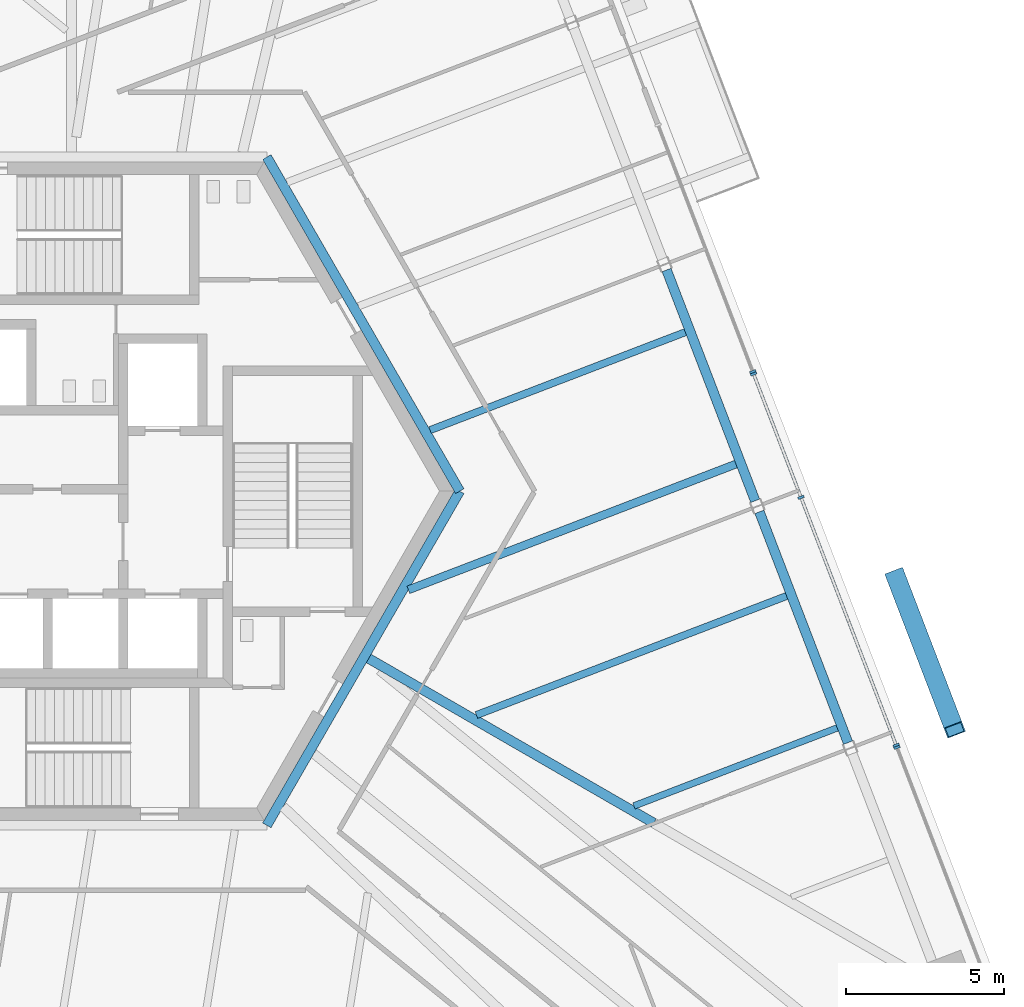
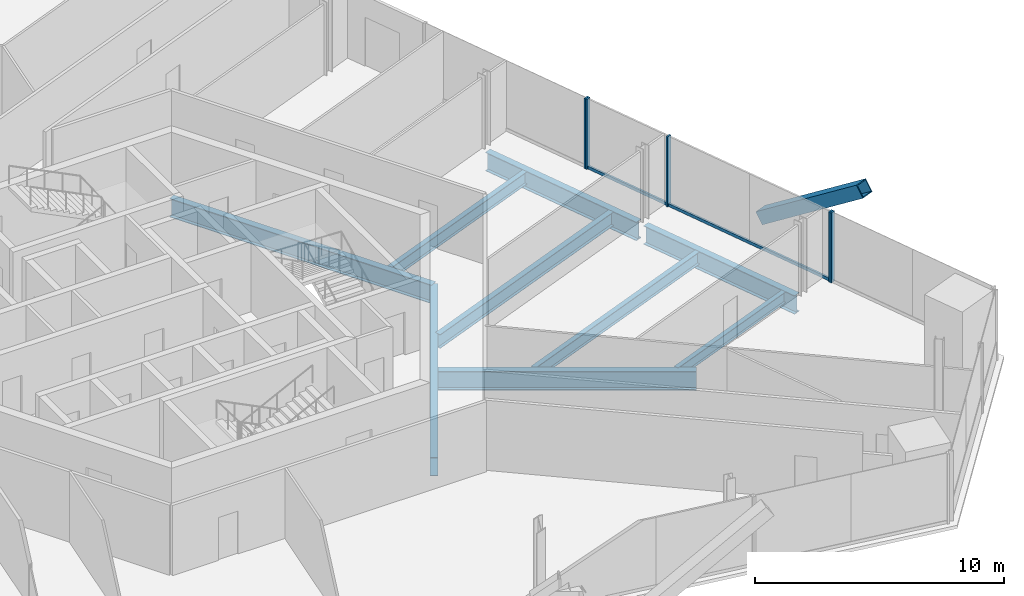
# One storey, part 7 of 19: 9 beams, 8 members, 3 elements without a shape of their own.
"""IFC4 building model written with IfcOpenShell, lengths in metres."""

from ifc_helpers import new_model, si_unit, direction, frame, origin, origin_2d, place, context, subcontext, project, spatial, rectangle, hollow_rectangle, i_section, extrude, source, transform, mapped, material, material_profile, profile_set, type_object, element, aggregate, save


model = new_model("IFC4")

# Units and contexts
model_context = context("Model", 3, precision=1e-05, world=origin(), true_north=direction((0.0, 1.0)))
body_context = subcontext(model_context, "Body", "Model", "MODEL_VIEW")
ifc_project = project(units=[si_unit("LENGTHUNIT", "METRE"), si_unit("AREAUNIT", "SQUARE_METRE"), si_unit("VOLUMEUNIT", "CUBIC_METRE"), si_unit("PLANEANGLEUNIT", "RADIAN"), si_unit("MASSUNIT", "GRAM", prefix="KILO")], contexts=[model_context])

# Site, building, storey
site_placement = place(None, origin())
site = spatial("IfcSite", under=ifc_project, at=site_placement, CompositionType="ELEMENT")
building_placement = place(site_placement, origin())
building = spatial("IfcBuilding", under=site, at=building_placement, Name="Triune Harvest Tower", CompositionType="ELEMENT")
storey_placement = place(building_placement, frame((0.0, 0.0, 164.10009765625)))
storey = spatial("IfcBuildingStorey", under=building, at=storey_placement, Name="L42", CompositionType="ELEMENT", Elevation=164.10009765625)

# Beams
ifc_material_1 = material(Name="Steel ASTM A992 Gr 50", Category="steel")
ifc_material_profile_1 = material_profile(ifc_material_1, i_section(OverallWidth=0.3046875, OverallDepth=0.914306640625, WebThickness=0.0166015625, FlangeThickness=0.02587890625, at=origin_2d()), Name="W36x160")
ifc_profile_set_1 = profile_set([ifc_material_profile_1], Name="Steel ASTM A992 Gr 50")
beam_type_1 = type_object("IfcBeamType", Name="CG-1 Core ring girder W36x160", PredefinedType="BEAM", material=ifc_profile_set_1)
shared_shape_1 = source(origin(), body_context, "Body", "SweptSolid", [
    extrude(i_section(OverallWidth=0.3046875, OverallDepth=0.914306640625, WebThickness=0.0166015625, FlangeThickness=0.02587890625, at=origin_2d()), origin(), (0.0, 0.0, 1.0), 12.176025390625),
])
for number, where, z_axis, x_axis, name in (
    (1, (12.176025390625, 0.0, -0.6171875), (-0.5000099932, 0.866019634131, 0.0), (-0.866019634131, -0.5000099932, 0.0), "beam/L42/CG1"),
    (2, (6.087890625, -10.544677734375, -0.6171875), (0.5000099932, 0.866019634131, 0.0), (-0.866019634131, 0.5000099932, 0.0), "beam/L42/CG6"),
):
    element("IfcBeam", number, at=place(storey_placement, frame(where, z_axis=z_axis, x_axis=x_axis)), inside=storey, type_object=beam_type_1, Name=name, PredefinedType="BEAM", context=body_context, shape_type="MappedRepresentation", body=[
        mapped(shared_shape_1, transform((0.0, 0.0, 0.0), scale=1.0)),
    ])
ifc_material_2 = material(Name="Steel ASTM A992 Gr 50", Category="steel")
ifc_material_profile_2 = material_profile(ifc_material_2, i_section(OverallWidth=0.307373046875, OverallDepth=0.922119140625, WebThickness=0.018310546875, FlangeThickness=0.030029296875, at=origin_2d()), Name="W36x182")
ifc_profile_set_2 = profile_set([ifc_material_profile_2], Name="Steel ASTM A992 Gr 50")
beam_type_2 = type_object("IfcBeamType", Name="HG-2 Hip girder W36x182", PredefinedType="BEAM", material=ifc_profile_set_2)
shared_shape_2 = source(origin(), body_context, "Body", "SweptSolid", [
    extrude(i_section(OverallWidth=0.307373046875, OverallDepth=0.922119140625, WebThickness=0.018310546875, FlangeThickness=0.030029296875, at=origin_2d()), origin(), (0.0, 0.0, 1.0), 10.38623046875),
])
beam_1_placement = place(storey_placement, frame((18.29833984375, -10.47314453125, -0.62109375), z_axis=(-0.866022743272, 0.500004608114, 0.0), x_axis=(-0.500004608114, -0.866022743272, 0.0)))
element("IfcBeam", 3, at=beam_1_placement, inside=storey, type_object=beam_type_2, Name="beam/L42/HG2", PredefinedType="BEAM", context=body_context, shape_type="MappedRepresentation", body=[
    mapped(shared_shape_2, transform((0.0, 0.0, 0.0), scale=1.0)),
])
ifc_material_3 = material(Name="Steel ASTM A992 Gr 50", Category="steel")
ifc_material_profile_3 = material_profile(ifc_material_3, i_section(OverallWidth=0.3046875, OverallDepth=0.914306640625, WebThickness=0.0166015625, FlangeThickness=0.02587890625, at=origin_2d()), Name="W36x160")
ifc_profile_set_3 = profile_set([ifc_material_profile_3], Name="Steel ASTM A992 Gr 50")
beam_type_3 = type_object("IfcBeamType", Name="SB-1 Spandrel beam W36x160", PredefinedType="SPANDREL", material=ifc_profile_set_3)
shared_shape_3 = source(origin(), body_context, "Body", "SweptSolid", [
    extrude(i_section(OverallWidth=0.3046875, OverallDepth=0.914306640625, WebThickness=0.0166015625, FlangeThickness=0.02587890625, at=origin_2d()), origin(), (0.0, 0.0, 1.0), 7.8017578125),
])
for number, where, z_axis, x_axis, name in (
    (4, (24.428466796875, -7.93603515625, -0.6171875), (-0.358372974677, 0.933578497514, 0.0), (-0.933578497514, -0.358372974677, 0.0), "beam/L42/SB2"),
    (5, (21.498779296875, -0.303955078125, -0.6171875), (-0.358372974677, 0.933578497514, 0.0), (-0.933578497514, -0.358372974677, 0.0), "beam/L42/SB3"),
):
    element("IfcBeam", number, at=place(storey_placement, frame(where, z_axis=z_axis, x_axis=x_axis)), inside=storey, type_object=beam_type_3, Name=name, PredefinedType="SPANDREL", context=body_context, shape_type="MappedRepresentation", body=[
        mapped(shared_shape_3, transform((0.0, 0.0, 0.0), scale=1.0)),
    ])
ifc_material_4 = material(Name="Steel ASTM A992 Gr 50", Category="steel")
ifc_material_profile_4 = material_profile(ifc_material_4, i_section(OverallWidth=0.2099609375, OverallDepth=0.535888671875, WebThickness=0.010986328125, FlangeThickness=0.017333984375, at=origin_2d()), Name="W21x68")
ifc_profile_set_4 = profile_set([ifc_material_profile_4], Name="Steel ASTM A992 Gr 50")
beam_type_4 = type_object("IfcBeamType", Name="JT-2 Floor joist W21x68", PredefinedType="JOIST", material=ifc_profile_set_4)
shared_shape_4 = source(origin(), body_context, "Body", "SweptSolid", [
    extrude(i_section(OverallWidth=0.2099609375, OverallDepth=0.535888671875, WebThickness=0.010986328125, FlangeThickness=0.017333984375, at=origin_2d()), origin(), (0.0, 0.0, 1.0), 6.871826171875),
])
beam_2_placement = place(storey_placement, frame((24.086669921875, -7.47119140625, -0.427978515625), z_axis=(-0.933577992689, -0.358374289769, 0.0), x_axis=(0.358374289769, -0.933577992689, 0.0)))
element("IfcBeam", 6, at=beam_2_placement, inside=storey, type_object=beam_type_4, Name="beam/L42/JT2", PredefinedType="JOIST", context=body_context, shape_type="MappedRepresentation", body=[
    mapped(shared_shape_4, transform((0.0, 0.0, 0.0), scale=1.0)),
])
ifc_material_5 = material(Name="Steel ASTM A992 Gr 50", Category="steel")
ifc_material_profile_5 = material_profile(ifc_material_5, i_section(OverallWidth=0.22900390625, OverallDepth=0.612060546875, WebThickness=0.011962890625, FlangeThickness=0.01953125, at=origin_2d()), Name="W24x84")
ifc_profile_set_5 = profile_set([ifc_material_profile_5], Name="Steel ASTM A992 Gr 50")
beam_type_5 = type_object("IfcBeamType", Name="JT-3 Floor joist W24x84", PredefinedType="JOIST", material=ifc_profile_set_5)
shared_shape_5 = source(origin(), body_context, "Body", "SweptSolid", [
    extrude(i_section(OverallWidth=0.22900390625, OverallDepth=0.612060546875, WebThickness=0.011962890625, FlangeThickness=0.01953125, at=origin_2d()), origin(), (0.0, 0.0, 1.0), 10.482666015625),
])
beam_3_placement = place(storey_placement, frame((22.48876953125, -3.30810546875, -0.46630859375), z_axis=(-0.933574113636, -0.358384394677, 0.0), x_axis=(0.358384394677, -0.933574113636, 0.0)))
element("IfcBeam", 7, at=beam_3_placement, inside=storey, type_object=beam_type_5, Name="beam/L42/JT3", PredefinedType="JOIST", context=body_context, shape_type="MappedRepresentation", body=[
    mapped(shared_shape_5, transform((0.0, 0.0, 0.0), scale=1.0)),
])
ifc_material_6 = material(Name="Steel ASTM A992 Gr 50", Category="steel")
ifc_material_profile_6 = material_profile(ifc_material_6, i_section(OverallWidth=0.253662109375, OverallDepth=0.683349609375, WebThickness=0.012451171875, FlangeThickness=0.01904296875, at=origin_2d()), Name="W27x94")
ifc_profile_set_6 = profile_set([ifc_material_profile_6], Name="Steel ASTM A992 Gr 50")
beam_type_6 = type_object("IfcBeamType", Name="JT-4 Floor joist W27x94", PredefinedType="JOIST", material=ifc_profile_set_6)
shared_shape_6 = source(origin(), body_context, "Body", "SweptSolid", [
    extrude(i_section(OverallWidth=0.253662109375, OverallDepth=0.683349609375, WebThickness=0.012451171875, FlangeThickness=0.01904296875, at=origin_2d()), origin(), (0.0, 0.0, 1.0), 11.071533203125),
])
beam_4_placement = place(storey_placement, frame((20.890869140625, 0.854736328125, -0.501708984375), z_axis=(-0.933585234032, -0.358355425237, 0.0), x_axis=(0.358355425237, -0.933585234032, 0.0)))
element("IfcBeam", 8, at=beam_4_placement, inside=storey, type_object=beam_type_6, Name="beam/L42/JT4", PredefinedType="JOIST", context=body_context, shape_type="MappedRepresentation", body=[
    mapped(shared_shape_6, transform((0.0, 0.0, 0.0), scale=1.0)),
])
shared_shape_7 = source(origin(), body_context, "Body", "SweptSolid", [
    extrude(i_section(OverallWidth=0.22900390625, OverallDepth=0.612060546875, WebThickness=0.011962890625, FlangeThickness=0.01953125, at=origin_2d()), origin(), (0.0, 0.0, 1.0), 8.625732421875),
])
beam_5_placement = place(storey_placement, frame((19.292724609375, 5.017578125, -0.46630859375), z_axis=(-0.933587577512, -0.35834931996, 0.0), x_axis=(0.35834931996, -0.933587577512, 0.0)))
element("IfcBeam", 9, at=beam_5_placement, inside=storey, type_object=beam_type_5, Name="beam/L42/JT5", PredefinedType="JOIST", context=body_context, shape_type="MappedRepresentation", body=[
    mapped(shared_shape_7, transform((0.0, 0.0, 0.0), scale=1.0)),
])

# Member
ifc_material_7 = material(Name="Steel ASTM A572 Gr 50", Category="steel")
ifc_material_profile_7 = material_profile(ifc_material_7, hollow_rectangle(XDim=0.60009765625, YDim=0.60009765625, WallThickness=0.0400390625, at=origin_2d()), Name="Box 600x600x40")
ifc_profile_set_7 = profile_set([ifc_material_profile_7], Name="Steel ASTM A572 Gr 50")
member_type_1 = type_object("IfcMemberType", Name="BR-2 Brace Box 600x600x40", PredefinedType="BRACE", material=ifc_profile_set_7)
shared_shape_8 = source(origin(), body_context, "Body", "SweptSolid", [
    extrude(hollow_rectangle(XDim=0.60009765625, YDim=0.60009765625, WallThickness=0.0400390625, at=origin_2d()), origin(), (0.0, 0.0, 1.0), 6.3291015625),
])
member_1_placement = place(storey_placement, frame((25.92919921875, -2.6689453125, 0.0), z_axis=(0.294782507691, -0.767854043196, 0.568773629405), x_axis=(0.933567833829, 0.358400752844, 0.0)))
element("IfcMember", 10, at=member_1_placement, inside=storey, type_object=member_type_1, Name="brace/B4-F1/d2/8", PredefinedType="BRACE", context=body_context, shape_type="MappedRepresentation", body=[
    mapped(shared_shape_8, transform((0.0, 0.0, 0.0), scale=1.0)),
])

# Curtain wall, member
ifc_material_8 = material(Name="Aluminium bronze anodised", Category="aluminium")
curtain_wall_type_1 = type_object("IfcCurtainWallType", Name="CW-6 Balcony window wall", PredefinedType="NOTDEFINED", material=ifc_material_8)
curtain_wall_1_placement = place(storey_placement, origin())
curtain_wall_1 = element("IfcCurtainWall", 11, at=curtain_wall_1_placement, inside=storey, type_object=curtain_wall_type_1, Name="CW-6 B4-F1 L42 run 1")
ifc_material_9 = material(Name="Aluminium bronze anodised", Category="aluminium")
ifc_material_profile_8 = material_profile(ifc_material_9, rectangle(XDim=0.199951171875, YDim=0.074951171875, at=origin_2d()), Name="MU-6 mullion 75 x 200")
ifc_profile_set_8 = profile_set([ifc_material_profile_8], Name="Aluminium bronze anodised")
member_type_2 = type_object("IfcMemberType", Name="MU-6 mullion 75 x 200", PredefinedType="MULLION", material=ifc_profile_set_8)
shared_shape_9 = source(origin(), body_context, "Body", "SweptSolid", [
    extrude(rectangle(XDim=0.199951171875, YDim=0.074951171875, at=origin_2d()), origin(), (0.0, 0.0, 1.0), 3.43994140625),
])
member_2_placement = place(storey_placement, frame((25.973876953125, -8.086669921875, 0.0), z_axis=(0.0, 0.0, 1.0), x_axis=(-0.933578692183, -0.358372467556, 0.0)))
member_2 = element("IfcMember", 12, at=member_2_placement, type_object=member_type_2, Name="CW-6 mullion B4-F1 1.3", PredefinedType="MULLION", context=body_context, shape_type="MappedRepresentation", body=[
    mapped(shared_shape_9, transform((0.0, 0.0, 0.0), scale=1.0)),
])
aggregate(curtain_wall_1, [member_2])

# Curtain wall, members
ifc_material_10 = material(Name="Aluminium bronze anodised", Category="aluminium")
curtain_wall_type_2 = type_object("IfcCurtainWallType", Name="CW-10 Balcony window wall with insulated spandrel infill", PredefinedType="NOTDEFINED", material=ifc_material_10)
curtain_wall_2_placement = place(storey_placement, origin())
curtain_wall_2 = element("IfcCurtainWall", 13, at=curtain_wall_2_placement, inside=storey, type_object=curtain_wall_type_2, Name="CW-10 B4-F1 L42 run 1001")
member_3_placement = place(storey_placement, frame((25.947021484375, -8.0166015625, 0.0), z_axis=(0.0, 0.0, 1.0), x_axis=(-0.93358139843, -0.358365417562, 0.0)))
member_3 = element("IfcMember", 14, at=member_3_placement, type_object=member_type_2, Name="CW-10 mullion B4-F1 1001.1", PredefinedType="MULLION", context=body_context, shape_type="MappedRepresentation", body=[
    mapped(shared_shape_9, transform((0.0, 0.0, 0.0), scale=1.0)),
])
member_4_placement = place(storey_placement, frame((22.944091796875, -0.194091796875, 0.0), z_axis=(0.0, 0.0, 1.0), x_axis=(-0.93358139843, -0.358365417562, 0.0)))
member_4 = element("IfcMember", 15, at=member_4_placement, type_object=member_type_2, Name="CW-10 mullion B4-F1 1001.3", PredefinedType="MULLION", context=body_context, shape_type="MappedRepresentation", body=[
    mapped(shared_shape_9, transform((0.0, 0.0, 0.0), scale=1.0)),
])
member_5_placement = place(storey_placement, frame((21.449462890625, 3.69970703125, 0.0), z_axis=(0.0, 0.0, 1.0), x_axis=(-0.93358139843, -0.358365417562, 0.0)))
member_5 = element("IfcMember", 16, at=member_5_placement, type_object=member_type_2, Name="CW-10 mullion B4-F1 1001.4", PredefinedType="MULLION", context=body_context, shape_type="MappedRepresentation", body=[
    mapped(shared_shape_9, transform((0.0, 0.0, 0.0), scale=1.0)),
])

# Curtain wall, member
curtain_wall_3_placement = place(storey_placement, origin())
curtain_wall_3 = element("IfcCurtainWall", 17, at=curtain_wall_3_placement, inside=storey, type_object=curtain_wall_type_1, Name="CW-6 B4-F1 L42 run 2001")
member_6_placement = place(storey_placement, frame((21.422607421875, 3.76953125, 0.0), z_axis=(0.0, 0.0, 1.0), x_axis=(-0.933578925755, -0.358371859088, 0.0)))
member_6 = element("IfcMember", 18, at=member_6_placement, type_object=member_type_2, Name="CW-6 mullion B4-F1 2001.1", PredefinedType="MULLION", context=body_context, shape_type="MappedRepresentation", body=[
    mapped(shared_shape_9, transform((0.0, 0.0, 0.0), scale=1.0)),
])
aggregate(curtain_wall_3, [member_6])

# Member
ifc_material_11 = material(Name="Aluminium bronze anodised", Category="aluminium")
ifc_material_profile_9 = material_profile(ifc_material_11, rectangle(XDim=0.090087890625, YDim=0.14990234375, at=origin_2d()), Name="TR-6 transom 90 x 150")
ifc_profile_set_9 = profile_set([ifc_material_profile_9], Name="Aluminium bronze anodised")
member_type_3 = type_object("IfcMemberType", Name="TR-6 transom 90 x 150", PredefinedType="USERDEFINED", material=ifc_profile_set_9)
shared_shape_10 = source(origin(), body_context, "Body", "SweptSolid", [
    extrude(rectangle(XDim=0.090087890625, YDim=0.14990234375, at=origin_2d()), origin(), (0.0, 0.0, 1.0), 8.303955078125),
])
member_7_placement = place(storey_placement, frame((25.93359375, -7.981689453125, 0.074951171875), z_axis=(-0.358387973152, 0.933572739908, 0.0), x_axis=(-0.933572739908, -0.358387973152, 0.0)))
member_7 = element("IfcMember", 19, at=member_7_placement, type_object=member_type_3, Name="CW-10 transom B4-F1 1001.1", ObjectType="TRANSOM", PredefinedType="USERDEFINED", context=body_context, shape_type="MappedRepresentation", body=[
    mapped(shared_shape_10, transform((0.0, 0.0, 0.0), scale=1.0)),
])

shared_shape_11 = source(origin(), body_context, "Body", "SweptSolid", [
    extrude(rectangle(XDim=0.090087890625, YDim=0.14990234375, at=origin_2d()), origin(), (0.0, 0.0, 1.0), 4.095703125),
])
member_8_placement = place(storey_placement, frame((22.9306640625, -0.1591796875, 0.074951171875), z_axis=(-0.35836387038, 0.933581992332, 0.0), x_axis=(-0.933581992332, -0.35836387038, 0.0)))
member_8 = element("IfcMember", 20, at=member_8_placement, type_object=member_type_3, Name="CW-10 transom B4-F1 1001.2", ObjectType="TRANSOM", PredefinedType="USERDEFINED", context=body_context, shape_type="MappedRepresentation", body=[
    mapped(shared_shape_11, transform((0.0, 0.0, 0.0), scale=1.0)),
])

aggregate(curtain_wall_2, [member_3, member_4, member_5, member_7, member_8])

save(model, "model.ifc")
